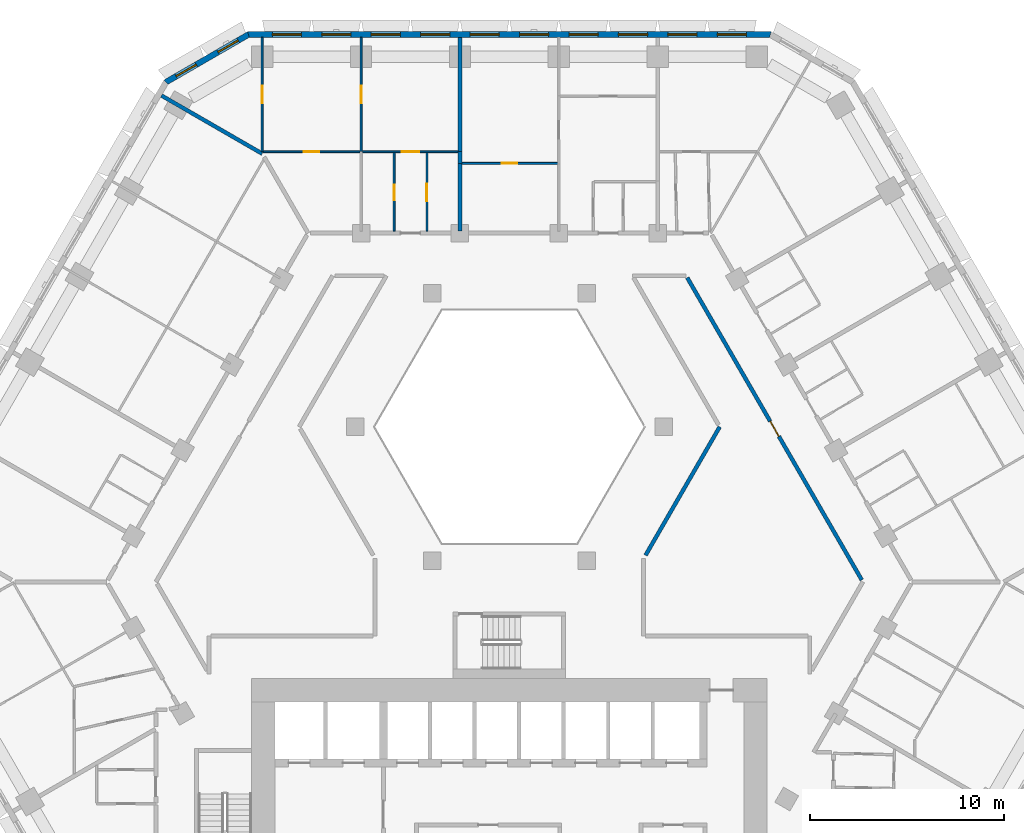
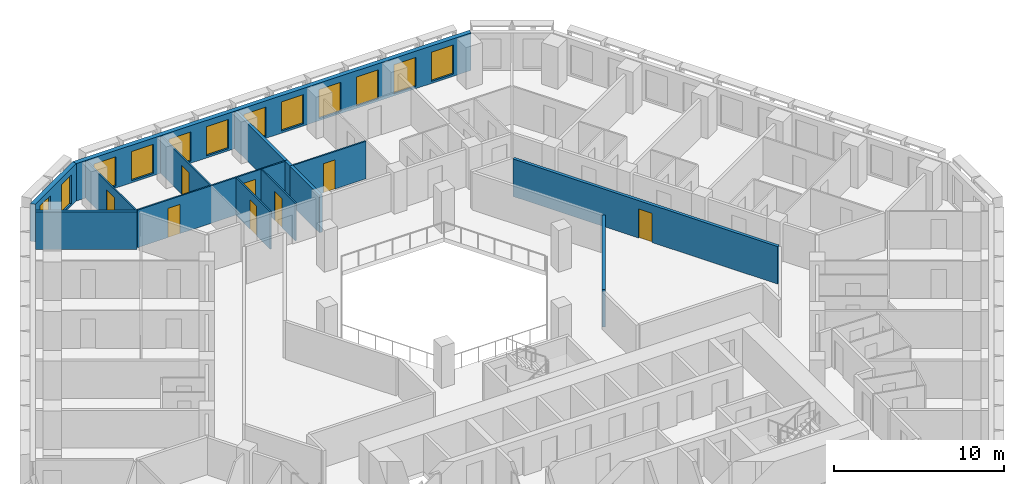
# One storey, part 10 of 21: 14 walls, 12 windows, 8 doors, 20 openings.
"""IFC4 building model written with IfcOpenShell, lengths in metres."""

from ifc_helpers import new_model, si_unit, direction, frame, frame_2d, origin, place, context, subcontext, project, spatial, polyline, rectangle, outline, extrude, material, layer, layer_set, type_object, element, fill, save


model = new_model("IFC4")

# Units and contexts
model_context = context("Model", 3, precision=1e-05, world=origin(), true_north=direction((0.0, 1.0)))
body_context = subcontext(model_context, "Body", "Model", "MODEL_VIEW")
ifc_project = project(units=[si_unit("LENGTHUNIT", "METRE"), si_unit("AREAUNIT", "SQUARE_METRE"), si_unit("VOLUMEUNIT", "CUBIC_METRE"), si_unit("PLANEANGLEUNIT", "RADIAN"), si_unit("MASSUNIT", "GRAM", prefix="KILO")], contexts=[model_context])

# Site, building, storey
site_placement = place(None, origin())
site = spatial("IfcSite", under=ifc_project, at=site_placement, CompositionType="ELEMENT")
building_placement = place(site_placement, origin())
building = spatial("IfcBuilding", under=site, at=building_placement, Name="Beryl Residences", CompositionType="ELEMENT")
storey_placement = place(building_placement, frame((0.0, 0.0, 53.39990234375)))
storey = spatial("IfcBuildingStorey", under=building, at=storey_placement, Name="L16", CompositionType="ELEMENT", Elevation=53.39990234375)

# Wall, openings, windows
ifc_material_1 = material(Name="Composite metal panel with mineral wool insulation")
ifc_layer_1 = layer(ifc_material_1, 0.300048828125)
ifc_layer_set_1 = layer_set([ifc_layer_1], Name="ES1 pale metal composite panel wall 300 mm")
wall_type_1 = type_object("IfcWallType", Name="ES1 pale metal composite panel wall 300 mm", PredefinedType="SOLIDWALL", material=ifc_layer_set_1)
wall_1_placement = place(storey_placement, frame((13.510009765625, 28.25, 0.0), z_axis=(0.0, 0.0, 1.0), x_axis=(-1.0, 0.0, 0.0)))
wall_1 = element("IfcWall", 1, at=wall_1_placement, inside=storey, type_object=wall_type_1, Name="ES1 external wall L16 N", PredefinedType="SOLIDWALL", context=body_context, shape_type="SweptSolid", body=[
    extrude(outline(polyline([(0.0, -0.14990234375), (27.02001953125, -0.14990234375), (26.939697265625, 0.14990234375), (0.080322265625, 0.14990234375), (0.0, -0.14990234375)])), origin(), (0.0, 0.0, 1.0), 2.7001953125),
])
opening_1_placement = place(wall_1_placement, frame((1.277099609375, 0.0, 0.14990234375)))
opening_1 = element("IfcOpeningElement", 2, at=opening_1_placement, cuts=wall_1, Name="Opening W1", PredefinedType="OPENING", context=body_context, shape_type="SweptSolid", body=[
    extrude(rectangle(XDim=1.5, YDim=2.10009765625, at=frame_2d((0.75, 1.050048828125))), frame((0.0, 0.159912109375, 0.0), z_axis=(0.0, -1.0, 0.0), x_axis=(1.0, 0.0, 0.0)), (0.0, 0.0, 1.0), 0.320068359375),
])
opening_2_placement = place(wall_1_placement, frame((3.8291015625, 0.0, 0.14990234375)))
opening_2 = element("IfcOpeningElement", 3, at=opening_2_placement, cuts=wall_1, Name="Opening W1", PredefinedType="OPENING", context=body_context, shape_type="SweptSolid", body=[
    extrude(rectangle(XDim=1.5, YDim=2.10009765625, at=frame_2d((0.75, 1.050048828125))), frame((0.0, 0.159912109375, 0.0), z_axis=(0.0, -1.0, 0.0), x_axis=(1.0, 0.0, 0.0)), (0.0, 0.0, 1.0), 0.320068359375),
])
opening_3_placement = place(wall_1_placement, frame((6.381103515625, 0.0, 0.14990234375)))
opening_3 = element("IfcOpeningElement", 4, at=opening_3_placement, cuts=wall_1, Name="Opening W1", PredefinedType="OPENING", context=body_context, shape_type="SweptSolid", body=[
    extrude(rectangle(XDim=1.5, YDim=2.10009765625, at=frame_2d((0.75, 1.050048828125))), frame((0.0, 0.159912109375, 0.0), z_axis=(0.0, -1.0, 0.0), x_axis=(1.0, 0.0, 0.0)), (0.0, 0.0, 1.0), 0.320068359375),
])
opening_4_placement = place(wall_1_placement, frame((8.93310546875, 0.0, 0.14990234375)))
opening_4 = element("IfcOpeningElement", 5, at=opening_4_placement, cuts=wall_1, Name="Opening W1", PredefinedType="OPENING", context=body_context, shape_type="SweptSolid", body=[
    extrude(rectangle(XDim=1.5, YDim=2.10009765625, at=frame_2d((0.75, 1.050048828125))), frame((0.0, 0.159912109375, 0.0), z_axis=(0.0, -1.0, 0.0), x_axis=(1.0, 0.0, 0.0)), (0.0, 0.0, 1.0), 0.320068359375),
])
opening_5_placement = place(wall_1_placement, frame((11.485107421875, 0.0, 0.14990234375)))
opening_5 = element("IfcOpeningElement", 6, at=opening_5_placement, cuts=wall_1, Name="Opening W1", PredefinedType="OPENING", context=body_context, shape_type="SweptSolid", body=[
    extrude(rectangle(XDim=1.5, YDim=2.10009765625, at=frame_2d((0.75, 1.050048828125))), frame((0.0, 0.159912109375, 0.0), z_axis=(0.0, -1.0, 0.0), x_axis=(1.0, 0.0, 0.0)), (0.0, 0.0, 1.0), 0.320068359375),
])
opening_6_placement = place(wall_1_placement, frame((14.037109375, 0.0, 0.14990234375)))
opening_6 = element("IfcOpeningElement", 7, at=opening_6_placement, cuts=wall_1, Name="Opening W1", PredefinedType="OPENING", context=body_context, shape_type="SweptSolid", body=[
    extrude(rectangle(XDim=1.5, YDim=2.10009765625, at=frame_2d((0.75, 1.050048828125))), frame((0.0, 0.159912109375, 0.0), z_axis=(0.0, -1.0, 0.0), x_axis=(1.0, 0.0, 0.0)), (0.0, 0.0, 1.0), 0.320068359375),
])
opening_7_placement = place(wall_1_placement, frame((16.589111328125, 0.0, 0.14990234375)))
opening_7 = element("IfcOpeningElement", 8, at=opening_7_placement, cuts=wall_1, Name="Opening W1", PredefinedType="OPENING", context=body_context, shape_type="SweptSolid", body=[
    extrude(rectangle(XDim=1.5, YDim=2.10009765625, at=frame_2d((0.75, 1.050048828125))), frame((0.0, 0.159912109375, 0.0), z_axis=(0.0, -1.0, 0.0), x_axis=(1.0, 0.0, 0.0)), (0.0, 0.0, 1.0), 0.320068359375),
])
opening_8_placement = place(wall_1_placement, frame((19.14111328125, 0.0, 0.14990234375)))
opening_8 = element("IfcOpeningElement", 9, at=opening_8_placement, cuts=wall_1, Name="Opening W1", PredefinedType="OPENING", context=body_context, shape_type="SweptSolid", body=[
    extrude(rectangle(XDim=1.5, YDim=2.10009765625, at=frame_2d((0.75, 1.050048828125))), frame((0.0, 0.159912109375, 0.0), z_axis=(0.0, -1.0, 0.0), x_axis=(1.0, 0.0, 0.0)), (0.0, 0.0, 1.0), 0.320068359375),
])
opening_9_placement = place(wall_1_placement, frame((21.693115234375, 0.0, 0.14990234375)))
opening_9 = element("IfcOpeningElement", 10, at=opening_9_placement, cuts=wall_1, Name="Opening W1", PredefinedType="OPENING", context=body_context, shape_type="SweptSolid", body=[
    extrude(rectangle(XDim=1.5, YDim=2.10009765625, at=frame_2d((0.75, 1.050048828125))), frame((0.0, 0.159912109375, 0.0), z_axis=(0.0, -1.0, 0.0), x_axis=(1.0, 0.0, 0.0)), (0.0, 0.0, 1.0), 0.320068359375),
])
opening_10_placement = place(wall_1_placement, frame((24.2451171875, 0.0, 0.14990234375)))
opening_10 = element("IfcOpeningElement", 11, at=opening_10_placement, cuts=wall_1, Name="Opening W1", PredefinedType="OPENING", context=body_context, shape_type="SweptSolid", body=[
    extrude(rectangle(XDim=1.5, YDim=2.10009765625, at=frame_2d((0.75, 1.050048828125))), frame((0.0, 0.159912109375, 0.0), z_axis=(0.0, -1.0, 0.0), x_axis=(1.0, 0.0, 0.0)), (0.0, 0.0, 1.0), 0.320068359375),
])
ifc_material_2 = material(Name="Aluminium and clear glass", Category="aluminium")
window_type_1 = type_object("IfcWindowType", Name="W1 cell window 1500 x 2100 mm", PartitioningType="SINGLE_PANEL", PredefinedType="WINDOW", material=ifc_material_2)
window_1_placement = place(opening_1_placement, origin())
window_1 = element("IfcWindow", 12, at=window_1_placement, inside=storey, type_object=window_type_1, Name="W1 window L16 N 1", OverallHeight=2.10009765625, OverallWidth=1.5, PartitioningType="SINGLE_PANEL", PredefinedType="WINDOW", context=body_context, shape_type="SweptSolid", body=[
    extrude(rectangle(XDim=1.5, YDim=2.10009765625, at=frame_2d((0.75, 1.050048828125))), frame((0.0, 0.030029296875, 0.0), z_axis=(0.0, -1.0, 0.0), x_axis=(1.0, 0.0, 0.0)), (0.0, 0.0, 1.0), 0.06005859375),
])
fill(opening_1, window_1)
window_2_placement = place(opening_2_placement, origin())
window_2 = element("IfcWindow", 13, at=window_2_placement, inside=storey, type_object=window_type_1, Name="W1 window L16 N 2", OverallHeight=2.10009765625, OverallWidth=1.5, PartitioningType="SINGLE_PANEL", PredefinedType="WINDOW", context=body_context, shape_type="SweptSolid", body=[
    extrude(rectangle(XDim=1.5, YDim=2.10009765625, at=frame_2d((0.75, 1.050048828125))), frame((0.0, 0.030029296875, 0.0), z_axis=(0.0, -1.0, 0.0), x_axis=(1.0, 0.0, 0.0)), (0.0, 0.0, 1.0), 0.06005859375),
])
fill(opening_2, window_2)
window_3_placement = place(opening_3_placement, origin())
window_3 = element("IfcWindow", 14, at=window_3_placement, inside=storey, type_object=window_type_1, Name="W1 window L16 N 3", OverallHeight=2.10009765625, OverallWidth=1.5, PartitioningType="SINGLE_PANEL", PredefinedType="WINDOW", context=body_context, shape_type="SweptSolid", body=[
    extrude(rectangle(XDim=1.5, YDim=2.10009765625, at=frame_2d((0.75, 1.050048828125))), frame((0.0, 0.030029296875, 0.0), z_axis=(0.0, -1.0, 0.0), x_axis=(1.0, 0.0, 0.0)), (0.0, 0.0, 1.0), 0.06005859375),
])
fill(opening_3, window_3)
window_4_placement = place(opening_4_placement, origin())
window_4 = element("IfcWindow", 15, at=window_4_placement, inside=storey, type_object=window_type_1, Name="W1 window L16 N 4", OverallHeight=2.10009765625, OverallWidth=1.5, PartitioningType="SINGLE_PANEL", PredefinedType="WINDOW", context=body_context, shape_type="SweptSolid", body=[
    extrude(rectangle(XDim=1.5, YDim=2.10009765625, at=frame_2d((0.75, 1.050048828125))), frame((0.0, 0.030029296875, 0.0), z_axis=(0.0, -1.0, 0.0), x_axis=(1.0, 0.0, 0.0)), (0.0, 0.0, 1.0), 0.06005859375),
])
fill(opening_4, window_4)
window_5_placement = place(opening_5_placement, origin())
window_5 = element("IfcWindow", 16, at=window_5_placement, inside=storey, type_object=window_type_1, Name="W1 window L16 N 5", OverallHeight=2.10009765625, OverallWidth=1.5, PartitioningType="SINGLE_PANEL", PredefinedType="WINDOW", context=body_context, shape_type="SweptSolid", body=[
    extrude(rectangle(XDim=1.5, YDim=2.10009765625, at=frame_2d((0.75, 1.050048828125))), frame((0.0, 0.030029296875, 0.0), z_axis=(0.0, -1.0, 0.0), x_axis=(1.0, 0.0, 0.0)), (0.0, 0.0, 1.0), 0.06005859375),
])
fill(opening_5, window_5)
window_6_placement = place(opening_6_placement, origin())
window_6 = element("IfcWindow", 17, at=window_6_placement, inside=storey, type_object=window_type_1, Name="W1 window L16 N 6", OverallHeight=2.10009765625, OverallWidth=1.5, PartitioningType="SINGLE_PANEL", PredefinedType="WINDOW", context=body_context, shape_type="SweptSolid", body=[
    extrude(rectangle(XDim=1.5, YDim=2.10009765625, at=frame_2d((0.75, 1.050048828125))), frame((0.0, 0.030029296875, 0.0), z_axis=(0.0, -1.0, 0.0), x_axis=(1.0, 0.0, 0.0)), (0.0, 0.0, 1.0), 0.06005859375),
])
fill(opening_6, window_6)
window_7_placement = place(opening_7_placement, origin())
window_7 = element("IfcWindow", 18, at=window_7_placement, inside=storey, type_object=window_type_1, Name="W1 window L16 N 7", OverallHeight=2.10009765625, OverallWidth=1.5, PartitioningType="SINGLE_PANEL", PredefinedType="WINDOW", context=body_context, shape_type="SweptSolid", body=[
    extrude(rectangle(XDim=1.5, YDim=2.10009765625, at=frame_2d((0.75, 1.050048828125))), frame((0.0, 0.030029296875, 0.0), z_axis=(0.0, -1.0, 0.0), x_axis=(1.0, 0.0, 0.0)), (0.0, 0.0, 1.0), 0.06005859375),
])
fill(opening_7, window_7)
window_8_placement = place(opening_8_placement, origin())
window_8 = element("IfcWindow", 19, at=window_8_placement, inside=storey, type_object=window_type_1, Name="W1 window L16 N 8", OverallHeight=2.10009765625, OverallWidth=1.5, PartitioningType="SINGLE_PANEL", PredefinedType="WINDOW", context=body_context, shape_type="SweptSolid", body=[
    extrude(rectangle(XDim=1.5, YDim=2.10009765625, at=frame_2d((0.75, 1.050048828125))), frame((0.0, 0.030029296875, 0.0), z_axis=(0.0, -1.0, 0.0), x_axis=(1.0, 0.0, 0.0)), (0.0, 0.0, 1.0), 0.06005859375),
])
fill(opening_8, window_8)
window_9_placement = place(opening_9_placement, origin())
window_9 = element("IfcWindow", 20, at=window_9_placement, inside=storey, type_object=window_type_1, Name="W1 window L16 N 9", OverallHeight=2.10009765625, OverallWidth=1.5, PartitioningType="SINGLE_PANEL", PredefinedType="WINDOW", context=body_context, shape_type="SweptSolid", body=[
    extrude(rectangle(XDim=1.5, YDim=2.10009765625, at=frame_2d((0.75, 1.050048828125))), frame((0.0, 0.030029296875, 0.0), z_axis=(0.0, -1.0, 0.0), x_axis=(1.0, 0.0, 0.0)), (0.0, 0.0, 1.0), 0.06005859375),
])
fill(opening_9, window_9)
window_10_placement = place(opening_10_placement, origin())
window_10 = element("IfcWindow", 21, at=window_10_placement, inside=storey, type_object=window_type_1, Name="W1 window L16 N 10", OverallHeight=2.10009765625, OverallWidth=1.5, PartitioningType="SINGLE_PANEL", PredefinedType="WINDOW", context=body_context, shape_type="SweptSolid", body=[
    extrude(rectangle(XDim=1.5, YDim=2.10009765625, at=frame_2d((0.75, 1.050048828125))), frame((0.0, 0.030029296875, 0.0), z_axis=(0.0, -1.0, 0.0), x_axis=(1.0, 0.0, 0.0)), (0.0, 0.0, 1.0), 0.06005859375),
])
fill(opening_10, window_10)

wall_2_placement = place(storey_placement, frame((-13.43505859375, 28.27001953125, 0.0), z_axis=(0.0, 0.0, 1.0), x_axis=(-0.866010750942, -0.50002537861, 0.0)))
wall_2 = element("IfcWall", 22, at=wall_2_placement, inside=storey, type_object=wall_type_1, Name="ES1 external wall L16 N-NW", PredefinedType="SOLIDWALL", context=body_context, shape_type="SweptSolid", body=[
    extrude(outline(polyline([(0.0, -0.14990234375), (4.999755859375, -0.14990234375), (4.91943359375, 0.14990234375), (0.080322265625, 0.14990234375), (0.0, -0.14990234375)])), origin(), (0.0, 0.0, 1.0), 2.7001953125),
])
opening_11_placement = place(wall_2_placement, frame((0.64990234375, 0.0, 0.14990234375)))
opening_11 = element("IfcOpeningElement", 23, at=opening_11_placement, cuts=wall_2, Name="Opening W2", PredefinedType="OPENING", context=body_context, shape_type="SweptSolid", body=[
    extrude(rectangle(XDim=1.199951171875, YDim=2.10009765625, at=frame_2d((0.60009765625, 1.050048828125))), frame((0.0, 0.159912109375, 0.0), z_axis=(0.0, -1.0, 0.0), x_axis=(1.0, 0.0, 0.0)), (0.0, 0.0, 1.0), 0.320068359375),
])
opening_12_placement = place(wall_2_placement, frame((3.14892578125, 0.0, 0.14990234375)))
opening_12 = element("IfcOpeningElement", 24, at=opening_12_placement, cuts=wall_2, Name="Opening W2", PredefinedType="OPENING", context=body_context, shape_type="SweptSolid", body=[
    extrude(rectangle(XDim=1.199951171875, YDim=2.10009765625, at=frame_2d((0.60009765625, 1.050048828125))), frame((0.0, 0.159912109375, 0.0), z_axis=(0.0, -1.0, 0.0), x_axis=(1.0, 0.0, 0.0)), (0.0, 0.0, 1.0), 0.320068359375),
])
ifc_material_3 = material(Name="Aluminium and clear glass", Category="aluminium")
window_type_2 = type_object("IfcWindowType", Name="W2 chamfer window 1200 x 2100 mm", PartitioningType="SINGLE_PANEL", PredefinedType="WINDOW", material=ifc_material_3)
window_11_placement = place(opening_11_placement, origin())
window_11 = element("IfcWindow", 25, at=window_11_placement, inside=storey, type_object=window_type_2, Name="W2 window L16 N-NW 1", OverallHeight=2.10009765625, OverallWidth=1.199951171875, PartitioningType="SINGLE_PANEL", PredefinedType="WINDOW", context=body_context, shape_type="SweptSolid", body=[
    extrude(rectangle(XDim=1.199951171875, YDim=2.10009765625, at=frame_2d((0.60009765625, 1.050048828125))), frame((0.0, 0.030029296875, 0.0), z_axis=(0.0, -1.0, 0.0), x_axis=(1.0, 0.0, 0.0)), (0.0, 0.0, 1.0), 0.06005859375),
])
fill(opening_11, window_11)
window_12_placement = place(opening_12_placement, origin())
window_12 = element("IfcWindow", 26, at=window_12_placement, inside=storey, type_object=window_type_2, Name="W2 window L16 N-NW 2", OverallHeight=2.10009765625, OverallWidth=1.199951171875, PartitioningType="SINGLE_PANEL", PredefinedType="WINDOW", context=body_context, shape_type="SweptSolid", body=[
    extrude(rectangle(XDim=1.199951171875, YDim=2.10009765625, at=frame_2d((0.60009765625, 1.050048828125))), frame((0.0, 0.030029296875, 0.0), z_axis=(0.0, -1.0, 0.0), x_axis=(1.0, 0.0, 0.0)), (0.0, 0.0, 1.0), 0.06005859375),
])
fill(opening_12, window_12)

# Wall, opening, door
ifc_material_4 = material(Name="Gypsum board partition on steel studs", Category="steel")
ifc_layer_2 = layer(ifc_material_4, 0.10009765625)
ifc_layer_set_2 = layer_set([ifc_layer_2], Name="PT1 partition 100 mm gypsum board on steel studs")
wall_type_2 = type_object("IfcWallType", Name="PT1 partition 100 mm gypsum board on steel studs", PredefinedType="PARTITIONING", material=ifc_layer_set_2)
wall_3_placement = place(storey_placement, frame((-2.452880859375, 21.60009765625, 0.0), z_axis=(0.0, 0.0, 1.0), x_axis=(1.0, 0.0, 0.0)))
wall_3 = element("IfcWall", 27, at=wall_3_placement, inside=storey, type_object=wall_type_2, Name="Wall PT1 L16 036", PredefinedType="PARTITIONING", context=body_context, shape_type="SweptSolid", body=[
    extrude(rectangle(XDim=4.953857421875, YDim=0.10009765625, at=frame_2d((2.47705078125, 0.0))), origin(), (0.0, 0.0, 1.0), 2.7001953125),
])
opening_13_placement = place(wall_3_placement, frame((2.052001953125, 0.0, 0.0)))
opening_13 = element("IfcOpeningElement", 28, at=opening_13_placement, cuts=wall_3, Name="Opening D0274", PredefinedType="OPENING", context=body_context, shape_type="SweptSolid", body=[
    extrude(rectangle(XDim=0.800048828125, YDim=2.10009765625, at=frame_2d((0.39990234375, 1.050048828125))), frame((0.0, 0.06005859375, 0.0), z_axis=(0.0, -1.0, 0.0), x_axis=(1.0, 0.0, 0.0)), (0.0, 0.0, 1.0), 0.1201171875),
])
ifc_material_5 = material(Name="Timber door leaf", Category="wood")
door_type_1 = type_object("IfcDoorType", Name="D3 bathroom door 800 x 2100 mm", OperationType="SINGLE_SWING_LEFT", PredefinedType="DOOR", material=ifc_material_5)
door_1_placement = place(opening_13_placement, origin())
door_1 = element("IfcDoor", 29, at=door_1_placement, inside=storey, type_object=door_type_1, Name="Door D0274 L16 001", OperationType="SINGLE_SWING_RIGHT", OverallHeight=2.10009765625, OverallWidth=0.800048828125, PredefinedType="DOOR", context=body_context, shape_type="SweptSolid", body=[
    extrude(rectangle(XDim=0.800048828125, YDim=2.10009765625, at=frame_2d((0.39990234375, 1.050048828125))), frame((0.0, 0.02490234375, 0.0), z_axis=(0.0, -1.0, 0.0), x_axis=(1.0, 0.0, 0.0)), (0.0, 0.0, 1.0), 0.050048828125),
])
fill(opening_13, door_1)

# Wall, openings, doors
wall_4_placement = place(storey_placement, frame((-12.7109375, 22.199951171875, 0.0), z_axis=(0.0, 0.0, 1.0), x_axis=(1.0, 0.0, 0.0)))
wall_4 = element("IfcWall", 30, at=wall_4_placement, inside=storey, type_object=wall_type_2, Name="Wall PT1 L16 037", PredefinedType="PARTITIONING", context=body_context, shape_type="SweptSolid", body=[
    extrude(rectangle(XDim=10.057861328125, YDim=0.10009765625, at=frame_2d((5.02880859375, 0.0))), origin(), (0.0, 0.0, 1.0), 2.7001953125),
])
opening_14_placement = place(wall_4_placement, frame((7.156005859375, 0.0, 0.0)))
opening_14 = element("IfcOpeningElement", 31, at=opening_14_placement, cuts=wall_4, Name="Opening D0278", PredefinedType="OPENING", context=body_context, shape_type="SweptSolid", body=[
    extrude(rectangle(XDim=0.89990234375, YDim=2.10009765625, at=frame_2d((0.449951171875, 1.050048828125))), frame((0.0, 0.06005859375, 0.0), z_axis=(0.0, -1.0, 0.0), x_axis=(1.0, 0.0, 0.0)), (0.0, 0.0, 1.0), 0.1201171875),
])
opening_15_placement = place(wall_4_placement, frame((2.10205078125, 0.0, 0.0)))
opening_15 = element("IfcOpeningElement", 32, at=opening_15_placement, cuts=wall_4, Name="Opening D0281", PredefinedType="OPENING", context=body_context, shape_type="SweptSolid", body=[
    extrude(rectangle(XDim=0.800048828125, YDim=2.10009765625, at=frame_2d((0.39990234375, 1.050048828125))), frame((0.0, 0.06005859375, 0.0), z_axis=(0.0, -1.0, 0.0), x_axis=(1.0, 0.0, 0.0)), (0.0, 0.0, 1.0), 0.1201171875),
])
ifc_material_6 = material(Name="Timber door leaf", Category="wood")
door_type_2 = type_object("IfcDoorType", Name="D2 room door 900 x 2100 mm", OperationType="SINGLE_SWING_LEFT", PredefinedType="DOOR", material=ifc_material_6)
door_2_placement = place(opening_14_placement, origin())
door_2 = element("IfcDoor", 33, at=door_2_placement, inside=storey, type_object=door_type_2, Name="Door D0278 L16 001", OperationType="SINGLE_SWING_RIGHT", OverallHeight=2.10009765625, OverallWidth=0.89990234375, PredefinedType="DOOR", context=body_context, shape_type="SweptSolid", body=[
    extrude(rectangle(XDim=0.89990234375, YDim=2.10009765625, at=frame_2d((0.449951171875, 1.050048828125))), frame((0.0, 0.02490234375, 0.0), z_axis=(0.0, -1.0, 0.0), x_axis=(1.0, 0.0, 0.0)), (0.0, 0.0, 1.0), 0.050048828125),
])
fill(opening_14, door_2)
door_3_placement = place(opening_15_placement, origin())
door_3 = element("IfcDoor", 34, at=door_3_placement, inside=storey, type_object=door_type_1, Name="Door D0281 L16 001", OperationType="SINGLE_SWING_LEFT", OverallHeight=2.10009765625, OverallWidth=0.800048828125, PredefinedType="DOOR", context=body_context, shape_type="SweptSolid", body=[
    extrude(rectangle(XDim=0.800048828125, YDim=2.10009765625, at=frame_2d((0.39990234375, 1.050048828125))), frame((0.0, 0.02490234375, 0.0), z_axis=(0.0, -1.0, 0.0), x_axis=(1.0, 0.0, 0.0)), (0.0, 0.0, 1.0), 0.050048828125),
])
fill(opening_15, door_3)

# Wall, opening, door
wall_5_placement = place(storey_placement, frame((-4.2548828125, 18.10009765625, 0.0), z_axis=(0.0, 0.0, 1.0), x_axis=(0.0, 1.0, 0.0)))
wall_5 = element("IfcWall", 35, at=wall_5_placement, inside=storey, type_object=wall_type_2, Name="Wall PT1 L16 055", PredefinedType="PARTITIONING", context=body_context, shape_type="SweptSolid", body=[
    extrude(rectangle(XDim=4.0498046875, YDim=0.10009765625, at=frame_2d((2.02490234375, 0.0))), origin(), (0.0, 0.0, 1.0), 2.7001953125),
])
opening_16_placement = place(wall_5_placement, frame((1.550048828125, 0.0, 0.0)))
opening_16 = element("IfcOpeningElement", 36, at=opening_16_placement, cuts=wall_5, Name="Opening D0277", PredefinedType="OPENING", context=body_context, shape_type="SweptSolid", body=[
    extrude(rectangle(XDim=0.89990234375, YDim=2.10009765625, at=frame_2d((0.449951171875, 1.050048828125))), frame((0.0, 0.06005859375, 0.0), z_axis=(0.0, -1.0, 0.0), x_axis=(1.0, 0.0, 0.0)), (0.0, 0.0, 1.0), 0.1201171875),
])
door_4_placement = place(opening_16_placement, origin())
door_4 = element("IfcDoor", 37, at=door_4_placement, inside=storey, type_object=door_type_2, Name="Door D0277 L16 001", OperationType="SINGLE_SWING_LEFT", OverallHeight=2.10009765625, OverallWidth=0.89990234375, PredefinedType="DOOR", context=body_context, shape_type="SweptSolid", body=[
    extrude(rectangle(XDim=0.89990234375, YDim=2.10009765625, at=frame_2d((0.449951171875, 1.050048828125))), frame((0.0, 0.02490234375, 0.0), z_axis=(0.0, -1.0, 0.0), x_axis=(1.0, 0.0, 0.0)), (0.0, 0.0, 1.0), 0.050048828125),
])
fill(opening_16, door_4)

wall_6_placement = place(storey_placement, frame((-5.955078125, 18.10009765625, 0.0), z_axis=(0.0, 0.0, 1.0), x_axis=(0.0, 1.0, 0.0)))
wall_6 = element("IfcWall", 38, at=wall_6_placement, inside=storey, type_object=wall_type_2, Name="Wall PT1 L16 056", PredefinedType="PARTITIONING", context=body_context, shape_type="SweptSolid", body=[
    extrude(rectangle(XDim=4.0498046875, YDim=0.10009765625, at=frame_2d((2.02490234375, 0.0))), origin(), (0.0, 0.0, 1.0), 2.7001953125),
])
opening_17_placement = place(wall_6_placement, frame((1.60009765625, 0.0, 0.0)))
opening_17 = element("IfcOpeningElement", 39, at=opening_17_placement, cuts=wall_6, Name="Opening D0276", PredefinedType="OPENING", context=body_context, shape_type="SweptSolid", body=[
    extrude(rectangle(XDim=0.800048828125, YDim=2.10009765625, at=frame_2d((0.39990234375, 1.050048828125))), frame((0.0, 0.06005859375, 0.0), z_axis=(0.0, -1.0, 0.0), x_axis=(1.0, 0.0, 0.0)), (0.0, 0.0, 1.0), 0.1201171875),
])
door_5_placement = place(opening_17_placement, origin())
door_5 = element("IfcDoor", 40, at=door_5_placement, inside=storey, type_object=door_type_1, Name="Door D0276 L16 001", OperationType="SINGLE_SWING_RIGHT", OverallHeight=2.10009765625, OverallWidth=0.800048828125, PredefinedType="DOOR", context=body_context, shape_type="SweptSolid", body=[
    extrude(rectangle(XDim=0.800048828125, YDim=2.10009765625, at=frame_2d((0.39990234375, 1.050048828125))), frame((0.0, 0.02490234375, 0.0), z_axis=(0.0, -1.0, 0.0), x_axis=(1.0, 0.0, 0.0)), (0.0, 0.0, 1.0), 0.050048828125),
])
fill(opening_17, door_5)

wall_7_placement = place(storey_placement, frame((-12.760986328125, 22.199951171875, 0.0), z_axis=(0.0, 0.0, 1.0), x_axis=(0.0, 1.0, 0.0)))
wall_7 = element("IfcWall", 41, at=wall_7_placement, inside=storey, type_object=wall_type_2, Name="Wall PT1 L16 059", PredefinedType="PARTITIONING", context=body_context, shape_type="SweptSolid", body=[
    extrude(rectangle(XDim=5.900146484375, YDim=0.10009765625, at=frame_2d((2.9501953125, 0.0))), origin(), (0.0, 0.0, 1.0), 2.7001953125),
])
opening_18_placement = place(wall_7_placement, frame((2.5, 0.0, 0.0)))
opening_18 = element("IfcOpeningElement", 42, at=opening_18_placement, cuts=wall_7, Name="Opening D0280", PredefinedType="OPENING", context=body_context, shape_type="SweptSolid", body=[
    extrude(rectangle(XDim=0.89990234375, YDim=2.10009765625, at=frame_2d((0.449951171875, 1.050048828125))), frame((0.0, 0.06005859375, 0.0), z_axis=(0.0, -1.0, 0.0), x_axis=(1.0, 0.0, 0.0)), (0.0, 0.0, 1.0), 0.1201171875),
])
door_6_placement = place(opening_18_placement, origin())
door_6 = element("IfcDoor", 43, at=door_6_placement, inside=storey, type_object=door_type_2, Name="Door D0280 L16 001", OperationType="SINGLE_SWING_RIGHT", OverallHeight=2.10009765625, OverallWidth=0.89990234375, PredefinedType="DOOR", context=body_context, shape_type="SweptSolid", body=[
    extrude(rectangle(XDim=0.89990234375, YDim=2.10009765625, at=frame_2d((0.449951171875, 1.050048828125))), frame((0.0, 0.02490234375, 0.0), z_axis=(0.0, -1.0, 0.0), x_axis=(1.0, 0.0, 0.0)), (0.0, 0.0, 1.0), 0.050048828125),
])
fill(opening_18, door_6)

wall_8_placement = place(storey_placement, frame((-7.656982421875, 22.199951171875, 0.0), z_axis=(0.0, 0.0, 1.0), x_axis=(0.0, 1.0, 0.0)))
wall_8 = element("IfcWall", 44, at=wall_8_placement, inside=storey, type_object=wall_type_2, Name="Wall PT1 L16 079", PredefinedType="PARTITIONING", context=body_context, shape_type="SweptSolid", body=[
    extrude(rectangle(XDim=5.900146484375, YDim=0.10009765625, at=frame_2d((2.9501953125, 0.0))), origin(), (0.0, 0.0, 1.0), 2.7001953125),
])
opening_19_placement = place(wall_8_placement, frame((2.5, 0.0, 0.0)))
opening_19 = element("IfcOpeningElement", 45, at=opening_19_placement, cuts=wall_8, Name="Opening D0279", PredefinedType="OPENING", context=body_context, shape_type="SweptSolid", body=[
    extrude(rectangle(XDim=0.89990234375, YDim=2.10009765625, at=frame_2d((0.449951171875, 1.050048828125))), frame((0.0, 0.06005859375, 0.0), z_axis=(0.0, -1.0, 0.0), x_axis=(1.0, 0.0, 0.0)), (0.0, 0.0, 1.0), 0.1201171875),
])
door_7_placement = place(opening_19_placement, origin())
door_7 = element("IfcDoor", 46, at=door_7_placement, inside=storey, type_object=door_type_2, Name="Door D0279 L16 001", OperationType="SINGLE_SWING_LEFT", OverallHeight=2.10009765625, OverallWidth=0.89990234375, PredefinedType="DOOR", context=body_context, shape_type="SweptSolid", body=[
    extrude(rectangle(XDim=0.89990234375, YDim=2.10009765625, at=frame_2d((0.449951171875, 1.050048828125))), frame((0.0, 0.02490234375, 0.0), z_axis=(0.0, -1.0, 0.0), x_axis=(1.0, 0.0, 0.0)), (0.0, 0.0, 1.0), 0.050048828125),
])
fill(opening_19, door_7)

# Walls
ifc_material_7 = material(Name="Acoustic double stud gypsum board wall")
ifc_layer_3 = layer(ifc_material_7, 0.199951171875)
ifc_layer_set_3 = layer_set([ifc_layer_3], Name="PT3 party wall 200 mm acoustic double stud")
wall_type_3 = type_object("IfcWallType", Name="PT3 party wall 200 mm acoustic double stud", PredefinedType="PARTITIONING", material=ifc_layer_set_3)
wall_9_placement = place(storey_placement, frame((-2.552978515625, 22.219970703125, 0.0), z_axis=(0.0, 0.0, 1.0), x_axis=(0.0, -1.0, 0.0)))
element("IfcWall", 47, at=wall_9_placement, inside=storey, type_object=wall_type_3, Name="Wall PT3 L16 004", PredefinedType="PARTITIONING", context=body_context, shape_type="SweptSolid", body=[
    extrude(rectangle(XDim=0.619873046875, YDim=0.199951171875, at=frame_2d((0.31005859375, 0.0))), origin(), (0.0, 0.0, 1.0), 2.7001953125),
])
wall_10_placement = place(storey_placement, frame((-17.955078125, 25.09912109375, 0.0), z_axis=(0.0, 0.0, 1.0), x_axis=(0.86609140076, -0.499885672459, 0.0)))
element("IfcWall", 48, at=wall_10_placement, inside=storey, type_object=wall_type_3, Name="Wall PT3 L16 012", PredefinedType="PARTITIONING", context=body_context, shape_type="SweptSolid", body=[
    extrude(rectangle(XDim=5.99951171875, YDim=0.199951171875, at=frame_2d((2.999755859375, 0.0))), origin(), (0.0, 0.0, 1.0), 2.7001953125),
])
wall_11_placement = place(storey_placement, frame((-2.552978515625, 18.10009765625, 0.0), z_axis=(0.0, 0.0, 1.0), x_axis=(0.0, 1.0, 0.0)))
element("IfcWall", 49, at=wall_11_placement, inside=storey, type_object=wall_type_3, Name="Wall PT3 L16 021", PredefinedType="PARTITIONING", context=body_context, shape_type="SweptSolid", body=[
    extrude(rectangle(XDim=3.5, YDim=0.199951171875, at=frame_2d((1.75, 0.0))), origin(), (0.0, 0.0, 1.0), 2.7001953125),
])
wall_12_placement = place(storey_placement, frame((-2.552978515625, 22.179931640625, 0.0), z_axis=(0.0, 0.0, 1.0), x_axis=(0.0, 1.0, 0.0)))
element("IfcWall", 50, at=wall_12_placement, inside=storey, type_object=wall_type_3, Name="Wall PT3 L16 022", PredefinedType="PARTITIONING", context=body_context, shape_type="SweptSolid", body=[
    extrude(rectangle(XDim=5.920166015625, YDim=0.199951171875, at=frame_2d((2.9599609375, 0.0))), origin(), (0.0, 0.0, 1.0), 2.7001953125),
])

# Wall, opening, door
ifc_material_8 = material(Name="Double stud gypsum board wall")
ifc_layer_4 = layer(ifc_material_8, 0.199951171875)
ifc_layer_set_4 = layer_set([ifc_layer_4], Name="PT4 corridor wall 200 mm double stud")
wall_type_4 = type_object("IfcWallType", Name="PT4 corridor wall 200 mm double stud", PredefinedType="PARTITIONING", material=ifc_layer_set_4)
wall_13_placement = place(storey_placement, frame((9.179931640625, 15.699951171875, 0.0), z_axis=(0.0, 0.0, 1.0), x_axis=(0.500003652032, -0.866023295272, 0.0)))
wall_13 = element("IfcWall", 51, at=wall_13_placement, inside=storey, type_object=wall_type_4, Name="Wall PT4 L16 005", PredefinedType="PARTITIONING", context=body_context, shape_type="SweptSolid", body=[
    extrude(rectangle(XDim=18.011962890625, YDim=0.199951171875, at=frame_2d((9.005859375, 0.0))), origin(), (0.0, 0.0, 1.0), 2.7001953125),
])
opening_20_placement = place(wall_13_placement, frame((8.555908203125, 0.0, 0.0)))
opening_20 = element("IfcOpeningElement", 52, at=opening_20_placement, cuts=wall_13, Name="Opening D0283", PredefinedType="OPENING", context=body_context, shape_type="SweptSolid", body=[
    extrude(rectangle(XDim=0.89990234375, YDim=2.10009765625, at=frame_2d((0.449951171875, 1.050048828125))), frame((0.0, 0.10986328125, 0.0), z_axis=(0.0, -1.0, 0.0), x_axis=(1.0, 0.0, 0.0)), (0.0, 0.0, 1.0), 0.219970703125),
])
door_8_placement = place(opening_20_placement, origin())
door_8 = element("IfcDoor", 53, at=door_8_placement, inside=storey, type_object=door_type_2, Name="Door D0283 L16 001", OperationType="SINGLE_SWING_LEFT", OverallHeight=2.10009765625, OverallWidth=0.89990234375, PredefinedType="DOOR", context=body_context, shape_type="SweptSolid", body=[
    extrude(rectangle(XDim=0.89990234375, YDim=2.10009765625, at=frame_2d((0.449951171875, 1.050048828125))), frame((0.0, 0.02490234375, 0.0), z_axis=(0.0, -1.0, 0.0), x_axis=(1.0, 0.0, 0.0)), (0.0, 0.0, 1.0), 0.050048828125),
])
fill(opening_20, door_8)

# Wall
wall_14_placement = place(storey_placement, frame((7.028076171875, 1.373046875, 0.0), z_axis=(0.0, 0.0, 1.0), x_axis=(0.49998574534, 0.86603363356, 0.0)))
element("IfcWall", 54, at=wall_14_placement, inside=storey, type_object=wall_type_4, Name="Wall PT4 L16 020", PredefinedType="PARTITIONING", context=body_context, shape_type="SweptSolid", body=[
    extrude(rectangle(XDim=7.652099609375, YDim=0.199951171875, at=frame_2d((3.826171875, 0.0))), origin(), (0.0, 0.0, 1.0), 2.7001953125),
])

save(model, "model.ifc")
